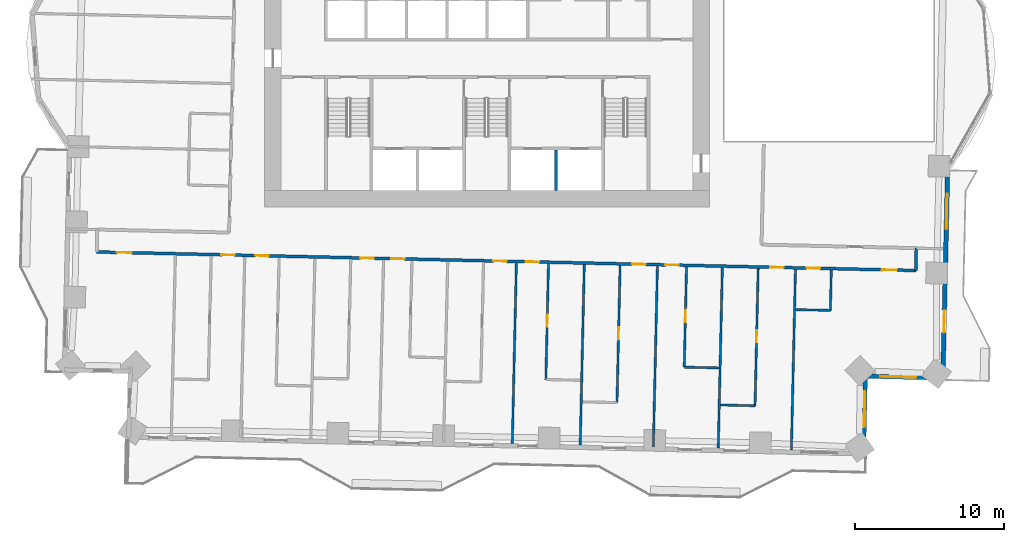
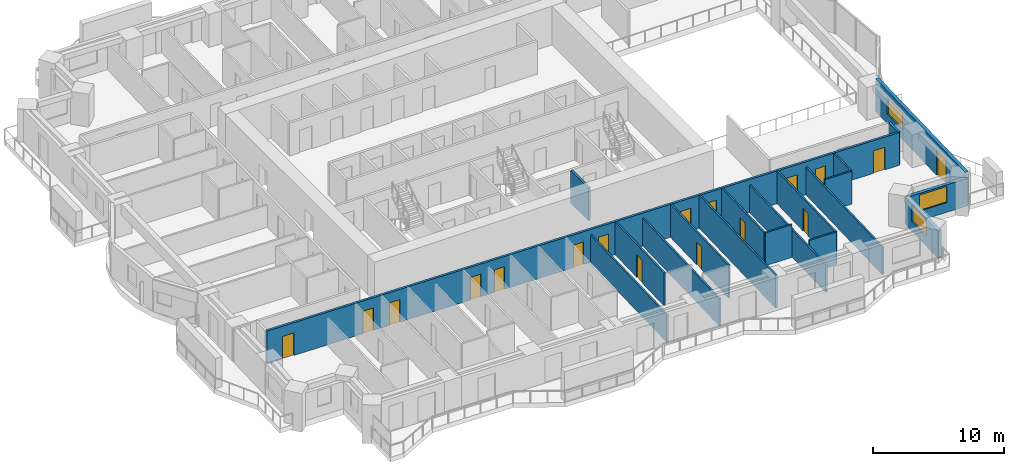
# One storey, part 9 of 18: 19 walls, 17 doors, 3 windows, 20 openings.
"""IFC4 building model written with IfcOpenShell, lengths in metres."""

from ifc_helpers import new_model, si_unit, direction, frame, frame_2d, origin, place, context, subcontext, project, spatial, rectangle, extrude, material, layer, layer_set, type_object, element, fill, save


model = new_model("IFC4")

# Units and contexts
model_context = context("Model", 3, precision=1e-05, world=origin(), true_north=direction((0.0, 1.0)))
body_context = subcontext(model_context, "Body", "Model", "MODEL_VIEW")
ifc_project = project(units=[si_unit("LENGTHUNIT", "METRE"), si_unit("AREAUNIT", "SQUARE_METRE"), si_unit("VOLUMEUNIT", "CUBIC_METRE"), si_unit("PLANEANGLEUNIT", "RADIAN"), si_unit("MASSUNIT", "GRAM", prefix="KILO")], contexts=[model_context])

# Site, building, storey
site_placement = place(None, origin())
site = spatial("IfcSite", under=ifc_project, at=site_placement, CompositionType="ELEMENT")
building_placement = place(site_placement, origin())
building = spatial("IfcBuilding", under=site, at=building_placement, Name="Mangrove Gate Tower", CompositionType="ELEMENT")
storey_placement = place(building_placement, frame((0.0, 0.0, 71.10009765625)))
storey = spatial("IfcBuildingStorey", under=building, at=storey_placement, Name="L17", CompositionType="ELEMENT", Elevation=71.10009765625)

# Wall
ifc_material_1 = material(Name="Concrete C70/85", Category="concrete")
ifc_layer_1 = layer(ifc_material_1, 0.199951171875)
ifc_layer_set_1 = layer_set([ifc_layer_1], Name="Core shaft wall 200 C70/85")
wall_type_1 = type_object("IfcWallType", Name="Core shaft wall 200 C70/85", PredefinedType="SHEAR", material=ifc_layer_set_1)
wall_1_placement = place(storey_placement, frame((4.625, -10.800048828125, 0.0), z_axis=(0.0, 0.0, 1.0), x_axis=(0.0, 1.0, 0.0)))
element("IfcWall", 1, at=wall_1_placement, inside=storey, type_object=wall_type_1, Name="WALL-L17-CORE-18", PredefinedType="SHEAR", context=body_context, shape_type="SweptSolid", body=[
    extrude(rectangle(XDim=2.699951171875, YDim=0.199951171875, at=frame_2d((1.35009765625, 0.0))), origin(), (0.0, 0.0, 1.0), 3.0498046875),
])

# Wall, openings, doors
ifc_material_2 = material(Name="Gypsum board on steel stud, EI 60", Category="steel")
ifc_layer_2 = layer(ifc_material_2, 0.199951171875)
ifc_layer_set_2 = layer_set([ifc_layer_2], Name="Corridor wall EI 60")
wall_type_2 = type_object("IfcWallType", Name="Corridor wall EI 60", PredefinedType="PARTITIONING", material=ifc_layer_set_2)
wall_2_placement = place(storey_placement, frame((-26.15087890625, -14.924072265625, 0.0), z_axis=(0.0, 0.0, 1.0), x_axis=(0.999742750999, -0.022681089575, 0.0)))
wall_2 = element("IfcWall", 2, at=wall_2_placement, inside=storey, type_object=wall_type_2, Name="WALL-L17-031", PredefinedType="PARTITIONING", context=body_context, shape_type="SweptSolid", body=[
    extrude(rectangle(XDim=54.885986328125, YDim=0.199951171875, at=frame_2d((27.44287109375, 0.0))), origin(), (0.0, 0.0, 1.0), 3.0498046875),
])
opening_1_placement = place(wall_2_placement, frame((1.344970703125, 0.0, 0.0)))
opening_1 = element("IfcOpeningElement", 3, at=opening_1_placement, cuts=wall_2, Name="Opening AD", PredefinedType="OPENING", context=body_context, shape_type="SweptSolid", body=[
    extrude(rectangle(XDim=1.0, YDim=2.10009765625, at=frame_2d((0.5, 1.050048828125))), frame((0.0, 0.10986328125, 0.0), z_axis=(0.0, -1.0, 0.0), x_axis=(1.0, 0.0, 0.0)), (0.0, 0.0, 1.0), 0.219970703125),
])
opening_2_placement = place(wall_2_placement, frame((8.35009765625, 0.0, 0.0)))
opening_2 = element("IfcOpeningElement", 4, at=opening_2_placement, cuts=wall_2, Name="Opening BD", PredefinedType="OPENING", context=body_context, shape_type="SweptSolid", body=[
    extrude(rectangle(XDim=0.89990234375, YDim=2.10009765625, at=frame_2d((0.449951171875, 1.050048828125))), frame((0.0, 0.10986328125, 0.0), z_axis=(0.0, -1.0, 0.0), x_axis=(1.0, 0.0, 0.0)), (0.0, 0.0, 1.0), 0.219970703125),
])
opening_3_placement = place(wall_2_placement, frame((10.625, 0.0, 0.0)))
opening_3 = element("IfcOpeningElement", 5, at=opening_3_placement, cuts=wall_2, Name="Opening BD", PredefinedType="OPENING", context=body_context, shape_type="SweptSolid", body=[
    extrude(rectangle(XDim=0.89990234375, YDim=2.10009765625, at=frame_2d((0.449951171875, 1.050048828125))), frame((0.0, 0.10986328125, 0.0), z_axis=(0.0, -1.0, 0.0), x_axis=(1.0, 0.0, 0.0)), (0.0, 0.0, 1.0), 0.219970703125),
])
opening_4_placement = place(wall_2_placement, frame((17.675048828125, 0.0, 0.0)))
opening_4 = element("IfcOpeningElement", 6, at=opening_4_placement, cuts=wall_2, Name="Opening BD", PredefinedType="OPENING", context=body_context, shape_type="SweptSolid", body=[
    extrude(rectangle(XDim=0.89990234375, YDim=2.10009765625, at=frame_2d((0.449951171875, 1.050048828125))), frame((0.0, 0.10986328125, 0.0), z_axis=(0.0, -1.0, 0.0), x_axis=(1.0, 0.0, 0.0)), (0.0, 0.0, 1.0), 0.219970703125),
])
opening_5_placement = place(wall_2_placement, frame((19.72509765625, 0.0, 0.0)))
opening_5 = element("IfcOpeningElement", 7, at=opening_5_placement, cuts=wall_2, Name="Opening BD", PredefinedType="OPENING", context=body_context, shape_type="SweptSolid", body=[
    extrude(rectangle(XDim=0.89990234375, YDim=2.10009765625, at=frame_2d((0.449951171875, 1.050048828125))), frame((0.0, 0.10986328125, 0.0), z_axis=(0.0, -1.0, 0.0), x_axis=(1.0, 0.0, 0.0)), (0.0, 0.0, 1.0), 0.219970703125),
])
opening_6_placement = place(wall_2_placement, frame((26.574951171875, 0.0, 0.0)))
opening_6 = element("IfcOpeningElement", 8, at=opening_6_placement, cuts=wall_2, Name="Opening BD", PredefinedType="OPENING", context=body_context, shape_type="SweptSolid", body=[
    extrude(rectangle(XDim=0.89990234375, YDim=2.10009765625, at=frame_2d((0.449951171875, 1.050048828125))), frame((0.0, 0.10986328125, 0.0), z_axis=(0.0, -1.0, 0.0), x_axis=(1.0, 0.0, 0.0)), (0.0, 0.0, 1.0), 0.219970703125),
])
opening_7_placement = place(wall_2_placement, frame((28.75, 0.0, 0.0)))
opening_7 = element("IfcOpeningElement", 9, at=opening_7_placement, cuts=wall_2, Name="Opening BD", PredefinedType="OPENING", context=body_context, shape_type="SweptSolid", body=[
    extrude(rectangle(XDim=0.89990234375, YDim=2.10009765625, at=frame_2d((0.449951171875, 1.050048828125))), frame((0.0, 0.10986328125, 0.0), z_axis=(0.0, -1.0, 0.0), x_axis=(1.0, 0.0, 0.0)), (0.0, 0.0, 1.0), 0.219970703125),
])
opening_8_placement = place(wall_2_placement, frame((35.875, 0.0, 0.0)))
opening_8 = element("IfcOpeningElement", 10, at=opening_8_placement, cuts=wall_2, Name="Opening BD", PredefinedType="OPENING", context=body_context, shape_type="SweptSolid", body=[
    extrude(rectangle(XDim=0.89990234375, YDim=2.10009765625, at=frame_2d((0.449951171875, 1.050048828125))), frame((0.0, 0.10986328125, 0.0), z_axis=(0.0, -1.0, 0.0), x_axis=(1.0, 0.0, 0.0)), (0.0, 0.0, 1.0), 0.219970703125),
])
opening_9_placement = place(wall_2_placement, frame((38.10009765625, 0.0, 0.0)))
opening_9 = element("IfcOpeningElement", 11, at=opening_9_placement, cuts=wall_2, Name="Opening BD", PredefinedType="OPENING", context=body_context, shape_type="SweptSolid", body=[
    extrude(rectangle(XDim=0.89990234375, YDim=2.10009765625, at=frame_2d((0.449951171875, 1.050048828125))), frame((0.0, 0.10986328125, 0.0), z_axis=(0.0, -1.0, 0.0), x_axis=(1.0, 0.0, 0.0)), (0.0, 0.0, 1.0), 0.219970703125),
])
opening_10_placement = place(wall_2_placement, frame((45.125, 0.0, 0.0)))
opening_10 = element("IfcOpeningElement", 12, at=opening_10_placement, cuts=wall_2, Name="Opening BD", PredefinedType="OPENING", context=body_context, shape_type="SweptSolid", body=[
    extrude(rectangle(XDim=0.89990234375, YDim=2.10009765625, at=frame_2d((0.449951171875, 1.050048828125))), frame((0.0, 0.10986328125, 0.0), z_axis=(0.0, -1.0, 0.0), x_axis=(1.0, 0.0, 0.0)), (0.0, 0.0, 1.0), 0.219970703125),
])
opening_11_placement = place(wall_2_placement, frame((52.617919921875, 0.0, 0.0)))
opening_11 = element("IfcOpeningElement", 13, at=opening_11_placement, cuts=wall_2, Name="Opening AD", PredefinedType="OPENING", context=body_context, shape_type="SweptSolid", body=[
    extrude(rectangle(XDim=1.0, YDim=2.10009765625, at=frame_2d((0.5, 1.050048828125))), frame((0.0, 0.10986328125, 0.0), z_axis=(0.0, -1.0, 0.0), x_axis=(1.0, 0.0, 0.0)), (0.0, 0.0, 1.0), 0.219970703125),
])
opening_12_placement = place(wall_2_placement, frame((47.574951171875, 0.0, 0.0)))
opening_12 = element("IfcOpeningElement", 14, at=opening_12_placement, cuts=wall_2, Name="Opening SD", PredefinedType="OPENING", context=body_context, shape_type="SweptSolid", body=[
    extrude(rectangle(XDim=0.89990234375, YDim=2.10009765625, at=frame_2d((0.449951171875, 1.050048828125))), frame((0.0, 0.10986328125, 0.0), z_axis=(0.0, -1.0, 0.0), x_axis=(1.0, 0.0, 0.0)), (0.0, 0.0, 1.0), 0.219970703125),
])
ifc_material_3 = material(Name="Timber door leaf", Category="wood")
door_type_1 = type_object("IfcDoorType", Name="Amenity door 1000", OperationType="SINGLE_SWING_LEFT", PredefinedType="DOOR", material=ifc_material_3)
door_1_placement = place(opening_1_placement, origin())
door_1 = element("IfcDoor", 15, at=door_1_placement, inside=storey, type_object=door_type_1, Name="DOOR-L17-STU-c1a", OperationType="SINGLE_SWING_LEFT", OverallHeight=2.10009765625, OverallWidth=1.0, PredefinedType="DOOR", context=body_context, shape_type="SweptSolid", body=[
    extrude(rectangle(XDim=1.0, YDim=2.10009765625, at=frame_2d((0.5, 1.050048828125))), frame((0.0, 0.02490234375, 0.0), z_axis=(0.0, -1.0, 0.0), x_axis=(1.0, 0.0, 0.0)), (0.0, 0.0, 1.0), 0.050048828125),
])
fill(opening_1, door_1)
door_2_placement = place(opening_11_placement, origin())
door_2 = element("IfcDoor", 16, at=door_2_placement, inside=storey, type_object=door_type_1, Name="DOOR-L17-GAM-c3a", OperationType="SINGLE_SWING_RIGHT", OverallHeight=2.10009765625, OverallWidth=1.0, PredefinedType="DOOR", context=body_context, shape_type="SweptSolid", body=[
    extrude(rectangle(XDim=1.0, YDim=2.10009765625, at=frame_2d((0.5, 1.050048828125))), frame((0.0, 0.02490234375, 0.0), z_axis=(0.0, -1.0, 0.0), x_axis=(1.0, 0.0, 0.0)), (0.0, 0.0, 1.0), 0.050048828125),
])
fill(opening_11, door_2)
ifc_material_4 = material(Name="Timber door leaf", Category="wood")
door_type_2 = type_object("IfcDoorType", Name="Bedroom door 900", OperationType="SINGLE_SWING_LEFT", PredefinedType="DOOR", material=ifc_material_4)
door_3_placement = place(opening_2_placement, origin())
door_3 = element("IfcDoor", 17, at=door_3_placement, inside=storey, type_object=door_type_2, Name="DOOR-L17-BED-c101", OperationType="SINGLE_SWING_LEFT", OverallHeight=2.10009765625, OverallWidth=0.89990234375, PredefinedType="DOOR", context=body_context, shape_type="SweptSolid", body=[
    extrude(rectangle(XDim=0.89990234375, YDim=2.10009765625, at=frame_2d((0.449951171875, 1.050048828125))), frame((0.0, 0.02490234375, 0.0), z_axis=(0.0, -1.0, 0.0), x_axis=(1.0, 0.0, 0.0)), (0.0, 0.0, 1.0), 0.050048828125),
])
fill(opening_2, door_3)
door_4_placement = place(opening_3_placement, origin())
door_4 = element("IfcDoor", 18, at=door_4_placement, inside=storey, type_object=door_type_2, Name="DOOR-L17-BED-c102", OperationType="SINGLE_SWING_RIGHT", OverallHeight=2.10009765625, OverallWidth=0.89990234375, PredefinedType="DOOR", context=body_context, shape_type="SweptSolid", body=[
    extrude(rectangle(XDim=0.89990234375, YDim=2.10009765625, at=frame_2d((0.449951171875, 1.050048828125))), frame((0.0, 0.02490234375, 0.0), z_axis=(0.0, -1.0, 0.0), x_axis=(1.0, 0.0, 0.0)), (0.0, 0.0, 1.0), 0.050048828125),
])
fill(opening_3, door_4)
door_5_placement = place(opening_4_placement, origin())
door_5 = element("IfcDoor", 19, at=door_5_placement, inside=storey, type_object=door_type_2, Name="DOOR-L17-BED-c103", OperationType="SINGLE_SWING_LEFT", OverallHeight=2.10009765625, OverallWidth=0.89990234375, PredefinedType="DOOR", context=body_context, shape_type="SweptSolid", body=[
    extrude(rectangle(XDim=0.89990234375, YDim=2.10009765625, at=frame_2d((0.449951171875, 1.050048828125))), frame((0.0, 0.02490234375, 0.0), z_axis=(0.0, -1.0, 0.0), x_axis=(1.0, 0.0, 0.0)), (0.0, 0.0, 1.0), 0.050048828125),
])
fill(opening_4, door_5)
door_6_placement = place(opening_5_placement, origin())
door_6 = element("IfcDoor", 20, at=door_6_placement, inside=storey, type_object=door_type_2, Name="DOOR-L17-BED-c104", OperationType="SINGLE_SWING_RIGHT", OverallHeight=2.10009765625, OverallWidth=0.89990234375, PredefinedType="DOOR", context=body_context, shape_type="SweptSolid", body=[
    extrude(rectangle(XDim=0.89990234375, YDim=2.10009765625, at=frame_2d((0.449951171875, 1.050048828125))), frame((0.0, 0.02490234375, 0.0), z_axis=(0.0, -1.0, 0.0), x_axis=(1.0, 0.0, 0.0)), (0.0, 0.0, 1.0), 0.050048828125),
])
fill(opening_5, door_6)
door_7_placement = place(opening_6_placement, origin())
door_7 = element("IfcDoor", 21, at=door_7_placement, inside=storey, type_object=door_type_2, Name="DOOR-L17-BED-c205", OperationType="SINGLE_SWING_LEFT", OverallHeight=2.10009765625, OverallWidth=0.89990234375, PredefinedType="DOOR", context=body_context, shape_type="SweptSolid", body=[
    extrude(rectangle(XDim=0.89990234375, YDim=2.10009765625, at=frame_2d((0.449951171875, 1.050048828125))), frame((0.0, 0.02490234375, 0.0), z_axis=(0.0, -1.0, 0.0), x_axis=(1.0, 0.0, 0.0)), (0.0, 0.0, 1.0), 0.050048828125),
])
fill(opening_6, door_7)
door_8_placement = place(opening_7_placement, origin())
door_8 = element("IfcDoor", 22, at=door_8_placement, inside=storey, type_object=door_type_2, Name="DOOR-L17-BED-c206", OperationType="SINGLE_SWING_RIGHT", OverallHeight=2.10009765625, OverallWidth=0.89990234375, PredefinedType="DOOR", context=body_context, shape_type="SweptSolid", body=[
    extrude(rectangle(XDim=0.89990234375, YDim=2.10009765625, at=frame_2d((0.449951171875, 1.050048828125))), frame((0.0, 0.02490234375, 0.0), z_axis=(0.0, -1.0, 0.0), x_axis=(1.0, 0.0, 0.0)), (0.0, 0.0, 1.0), 0.050048828125),
])
fill(opening_7, door_8)
door_9_placement = place(opening_8_placement, origin())
door_9 = element("IfcDoor", 23, at=door_9_placement, inside=storey, type_object=door_type_2, Name="DOOR-L17-BED-c207", OperationType="SINGLE_SWING_LEFT", OverallHeight=2.10009765625, OverallWidth=0.89990234375, PredefinedType="DOOR", context=body_context, shape_type="SweptSolid", body=[
    extrude(rectangle(XDim=0.89990234375, YDim=2.10009765625, at=frame_2d((0.449951171875, 1.050048828125))), frame((0.0, 0.02490234375, 0.0), z_axis=(0.0, -1.0, 0.0), x_axis=(1.0, 0.0, 0.0)), (0.0, 0.0, 1.0), 0.050048828125),
])
fill(opening_8, door_9)
door_10_placement = place(opening_9_placement, origin())
door_10 = element("IfcDoor", 24, at=door_10_placement, inside=storey, type_object=door_type_2, Name="DOOR-L17-BED-c308", OperationType="SINGLE_SWING_RIGHT", OverallHeight=2.10009765625, OverallWidth=0.89990234375, PredefinedType="DOOR", context=body_context, shape_type="SweptSolid", body=[
    extrude(rectangle(XDim=0.89990234375, YDim=2.10009765625, at=frame_2d((0.449951171875, 1.050048828125))), frame((0.0, 0.02490234375, 0.0), z_axis=(0.0, -1.0, 0.0), x_axis=(1.0, 0.0, 0.0)), (0.0, 0.0, 1.0), 0.050048828125),
])
fill(opening_9, door_10)
door_11_placement = place(opening_10_placement, origin())
door_11 = element("IfcDoor", 25, at=door_11_placement, inside=storey, type_object=door_type_2, Name="DOOR-L17-BED-c309", OperationType="SINGLE_SWING_LEFT", OverallHeight=2.10009765625, OverallWidth=0.89990234375, PredefinedType="DOOR", context=body_context, shape_type="SweptSolid", body=[
    extrude(rectangle(XDim=0.89990234375, YDim=2.10009765625, at=frame_2d((0.449951171875, 1.050048828125))), frame((0.0, 0.02490234375, 0.0), z_axis=(0.0, -1.0, 0.0), x_axis=(1.0, 0.0, 0.0)), (0.0, 0.0, 1.0), 0.050048828125),
])
fill(opening_10, door_11)
ifc_material_5 = material(Name="Timber door leaf", Category="wood")
door_type_3 = type_object("IfcDoorType", Name="Service room door 900", OperationType="SINGLE_SWING_LEFT", PredefinedType="DOOR", material=ifc_material_5)
door_12_placement = place(opening_12_placement, origin())
door_12 = element("IfcDoor", 26, at=door_12_placement, inside=storey, type_object=door_type_3, Name="DOOR-L17-WC-c3a", OperationType="SINGLE_SWING_LEFT", OverallHeight=2.10009765625, OverallWidth=0.89990234375, PredefinedType="DOOR", context=body_context, shape_type="SweptSolid", body=[
    extrude(rectangle(XDim=0.89990234375, YDim=2.10009765625, at=frame_2d((0.449951171875, 1.050048828125))), frame((0.0, 0.02490234375, 0.0), z_axis=(0.0, -1.0, 0.0), x_axis=(1.0, 0.0, 0.0)), (0.0, 0.0, 1.0), 0.050048828125),
])
fill(opening_12, door_12)

# Wall
wall_3_placement = place(storey_placement, frame((28.718017578125, -16.1689453125, 0.0), z_axis=(0.0, 0.0, 1.0), x_axis=(0.022617910375, 0.999744182344, 0.0)))
element("IfcWall", 27, at=wall_3_placement, inside=storey, type_object=wall_type_2, Name="WALL-L17-033", PredefinedType="PARTITIONING", context=body_context, shape_type="SweptSolid", body=[
    extrude(rectangle(XDim=1.50048828125, YDim=0.199951171875, at=frame_2d((0.750244140625, 0.0))), origin(), (0.0, 0.0, 1.0), 3.0498046875),
])

# Wall, openings, door, window
ifc_material_6 = material(Name="Limestone", Category="masonry")
ifc_layer_3 = layer(ifc_material_6, 0.0400390625, Name="Limestone cladding")
ifc_material_7 = material(Name="Ventilated air gap")
ifc_layer_4 = layer(ifc_material_7, 0.0400390625, Name="Ventilated cavity")
ifc_material_8 = material(Name="Mineral wool insulation")
ifc_layer_5 = layer(ifc_material_8, 0.06005859375, Name="Insulation")
ifc_material_9 = material(Name="Breather membrane")
ifc_layer_6 = layer(ifc_material_9, 0.001953125, Name="Breather membrane")
ifc_material_10 = material(Name="Concrete C20/25 blockwork", Category="masonry")
ifc_layer_7 = layer(ifc_material_10, 0.14990234375, Name="Blockwork backing wall")
ifc_material_11 = material(Name="Gypsum plaster")
ifc_layer_8 = layer(ifc_material_11, 0.008056640625, Name="Internal plaster")
ifc_layer_set_3 = layer_set([ifc_layer_3, ifc_layer_4, ifc_layer_5, ifc_layer_6, ifc_layer_7, ifc_layer_8], Name="External wall 300 limestone cladding")
wall_type_3 = type_object("IfcWallType", Name="External wall 300 limestone cladding", PredefinedType="SOLIDWALL", material=ifc_layer_set_3)
wall_4_placement = place(storey_placement, frame((30.532958984375, -23.362060546875, 0.0), z_axis=(0.0, 0.0, 1.0), x_axis=(0.022698800888, 0.999742349027, 0.0)))
wall_4 = element("IfcWall", 28, at=wall_4_placement, inside=storey, type_object=wall_type_3, Name="WALL-L17-E0", PredefinedType="SOLIDWALL", context=body_context, shape_type="SweptSolid", body=[
    extrude(rectangle(XDim=14.229736328125, YDim=0.300048828125, at=frame_2d((7.11474609375, 0.0))), origin(), (0.0, 0.0, 1.0), 3.0498046875),
])
opening_13_placement = place(wall_4_placement, frame((3.0380859375, 0.0, 0.0)))
opening_13 = element("IfcOpeningElement", 29, at=opening_13_placement, cuts=wall_4, Name="Opening BD1", PredefinedType="OPENING", context=body_context, shape_type="SweptSolid", body=[
    extrude(rectangle(XDim=1.5, YDim=2.39990234375, at=frame_2d((0.75, 1.199951171875))), frame((0.0, 0.159912109375, 0.0), z_axis=(0.0, -1.0, 0.0), x_axis=(1.0, 0.0, 0.0)), (0.0, 0.0, 1.0), 0.320068359375),
])
opening_14_placement = place(wall_4_placement, frame((9.949951171875, 0.0, 0.89990234375)))
opening_14 = element("IfcOpeningElement", 30, at=opening_14_placement, cuts=wall_4, Name="Opening W2", PredefinedType="OPENING", context=body_context, shape_type="SweptSolid", body=[
    extrude(rectangle(XDim=2.39990234375, YDim=1.5, at=frame_2d((1.199951171875, 0.75))), frame((0.0, 0.159912109375, 0.0), z_axis=(0.0, -1.0, 0.0), x_axis=(1.0, 0.0, 0.0)), (0.0, 0.0, 1.0), 0.320068359375),
])
ifc_material_12 = material(Name="Aluminium frame with laminated clear glass", Category="aluminium")
door_type_4 = type_object("IfcDoorType", Name="Balcony sliding door 1500x2400", OperationType="SLIDING_TO_LEFT", PredefinedType="DOOR", material=ifc_material_12)
door_13_placement = place(opening_13_placement, origin())
door_13 = element("IfcDoor", 31, at=door_13_placement, inside=storey, type_object=door_type_4, Name="DOOR-L17-E0-1", OperationType="SLIDING_TO_LEFT", OverallHeight=2.39990234375, OverallWidth=1.5, PredefinedType="DOOR", context=body_context, shape_type="SweptSolid", body=[
    extrude(rectangle(XDim=1.5, YDim=2.39990234375, at=frame_2d((0.75, 1.199951171875))), frame((0.0, 0.02490234375, 0.0), z_axis=(0.0, -1.0, 0.0), x_axis=(1.0, 0.0, 0.0)), (0.0, 0.0, 1.0), 0.050048828125),
])
fill(opening_13, door_13)
ifc_material_13 = material(Name="Aluminium frame with double-glazed low-e glass", Category="aluminium")
window_type = type_object("IfcWindowType", Name="Corner room window 2400x1500", PartitioningType="DOUBLE_PANEL_VERTICAL", PredefinedType="WINDOW", material=ifc_material_13)
window_1_placement = place(opening_14_placement, origin())
window_1 = element("IfcWindow", 32, at=window_1_placement, inside=storey, type_object=window_type, Name="WIN-L17-E0-2", OverallHeight=1.5, OverallWidth=2.39990234375, PartitioningType="DOUBLE_PANEL_VERTICAL", PredefinedType="WINDOW", context=body_context, shape_type="SweptSolid", body=[
    extrude(rectangle(XDim=2.39990234375, YDim=1.5, at=frame_2d((1.199951171875, 0.75))), frame((0.0, 0.030029296875, 0.0), z_axis=(0.0, -1.0, 0.0), x_axis=(1.0, 0.0, 0.0)), (0.0, 0.0, 1.0), 0.06005859375),
])
fill(opening_14, window_1)

# Wall, opening, window
wall_5_placement = place(storey_placement, frame((25.216064453125, -28.443115234375, 0.0), z_axis=(0.0, 0.0, 1.0), x_axis=(0.022674484462, 0.999742900827, 0.0)))
wall_5 = element("IfcWall", 33, at=wall_5_placement, inside=storey, type_object=wall_type_3, Name="WALL-L17-E14", PredefinedType="SOLIDWALL", context=body_context, shape_type="SweptSolid", body=[
    extrude(rectangle(XDim=5.200439453125, YDim=0.300048828125, at=frame_2d((2.60009765625, 0.0))), origin(), (0.0, 0.0, 1.0), 2.5498046875),
])
opening_15_placement = place(wall_5_placement, frame((1.79296875, 0.0, 0.89990234375)))
opening_15 = element("IfcOpeningElement", 34, at=opening_15_placement, cuts=wall_5, Name="Opening W2", PredefinedType="OPENING", context=body_context, shape_type="SweptSolid", body=[
    extrude(rectangle(XDim=2.39990234375, YDim=1.5, at=frame_2d((1.199951171875, 0.75))), frame((0.0, 0.159912109375, 0.0), z_axis=(0.0, -1.0, 0.0), x_axis=(1.0, 0.0, 0.0)), (0.0, 0.0, 1.0), 0.320068359375),
])
window_2_placement = place(opening_15_placement, origin())
window_2 = element("IfcWindow", 35, at=window_2_placement, inside=storey, type_object=window_type, Name="WIN-L17-E14-1", OverallHeight=1.5, OverallWidth=2.39990234375, PartitioningType="DOUBLE_PANEL_VERTICAL", PredefinedType="WINDOW", context=body_context, shape_type="SweptSolid", body=[
    extrude(rectangle(XDim=2.39990234375, YDim=1.5, at=frame_2d((1.199951171875, 0.75))), frame((0.0, 0.030029296875, 0.0), z_axis=(0.0, -1.0, 0.0), x_axis=(1.0, 0.0, 0.0)), (0.0, 0.0, 1.0), 0.06005859375),
])
fill(opening_15, window_2)

wall_6_placement = place(storey_placement, frame((25.333984375, -23.243896484375, 0.0), z_axis=(0.0, 0.0, 1.0), x_axis=(0.999741811307, -0.022722471786, 0.0)))
wall_6 = element("IfcWall", 36, at=wall_6_placement, inside=storey, type_object=wall_type_3, Name="WALL-L17-S15", PredefinedType="SOLIDWALL", context=body_context, shape_type="SweptSolid", body=[
    extrude(rectangle(XDim=5.2001953125, YDim=0.300048828125, at=frame_2d((2.60009765625, 0.0))), origin(), (0.0, 0.0, 1.0), 2.5498046875),
])
opening_16_placement = place(wall_6_placement, frame((1.007080078125, 0.0, 0.89990234375)))
opening_16 = element("IfcOpeningElement", 37, at=opening_16_placement, cuts=wall_6, Name="Opening W2", PredefinedType="OPENING", context=body_context, shape_type="SweptSolid", body=[
    extrude(rectangle(XDim=2.39990234375, YDim=1.5, at=frame_2d((1.199951171875, 0.75))), frame((0.0, 0.159912109375, 0.0), z_axis=(0.0, -1.0, 0.0), x_axis=(1.0, 0.0, 0.0)), (0.0, 0.0, 1.0), 0.320068359375),
])
window_3_placement = place(opening_16_placement, origin())
window_3 = element("IfcWindow", 38, at=window_3_placement, inside=storey, type_object=window_type, Name="WIN-L17-S15-1", OverallHeight=1.5, OverallWidth=2.39990234375, PartitioningType="DOUBLE_PANEL_VERTICAL", PredefinedType="WINDOW", context=body_context, shape_type="SweptSolid", body=[
    extrude(rectangle(XDim=2.39990234375, YDim=1.5, at=frame_2d((1.199951171875, 0.75))), frame((0.0, 0.030029296875, 0.0), z_axis=(0.0, -1.0, 0.0), x_axis=(1.0, 0.0, 0.0)), (0.0, 0.0, 1.0), 0.06005859375),
])
fill(opening_16, window_3)

# Walls
ifc_material_14 = material(Name="Gypsum board on steel stud, EI 60", Category="steel")
ifc_layer_9 = layer(ifc_material_14, 0.14990234375)
ifc_layer_set_4 = layer_set([ifc_layer_9], Name="Party wall 150 EI 60")
wall_type_4 = type_object("IfcWallType", Name="Party wall 150 EI 60", PredefinedType="PARTITIONING", material=ifc_layer_set_4)
wall_7_placement = place(storey_placement, frame((1.68798828125, -27.759033203125, 0.0), z_axis=(0.0, 0.0, 1.0), x_axis=(0.02263844782, 0.9997437175, 0.0)))
element("IfcWall", 39, at=wall_7_placement, inside=storey, type_object=wall_type_4, Name="WALL-L17-006", PredefinedType="PARTITIONING", context=body_context, shape_type="SweptSolid", body=[
    extrude(rectangle(XDim=12.10009765625, YDim=0.14990234375, at=frame_2d((6.050048828125, 0.0))), origin(), (0.0, 0.0, 1.0), 2.5498046875),
])
wall_8_placement = place(storey_placement, frame((6.237060546875, -27.862060546875, 0.0), z_axis=(0.0, 0.0, 1.0), x_axis=(0.022637991173, 0.99974372784, 0.0)))
element("IfcWall", 40, at=wall_8_placement, inside=storey, type_object=wall_type_4, Name="WALL-L17-007", PredefinedType="PARTITIONING", context=body_context, shape_type="SweptSolid", body=[
    extrude(rectangle(XDim=12.100341796875, YDim=0.14990234375, at=frame_2d((6.05029296875, 0.0))), origin(), (0.0, 0.0, 1.0), 2.5498046875),
])
wall_9_placement = place(storey_placement, frame((11.135009765625, -27.972900390625, 0.0), z_axis=(0.0, 0.0, 1.0), x_axis=(0.022719113715, 0.999741887625, 0.0)))
element("IfcWall", 41, at=wall_9_placement, inside=storey, type_object=wall_type_4, Name="WALL-L17-008", PredefinedType="PARTITIONING", context=body_context, shape_type="SweptSolid", body=[
    extrude(rectangle(XDim=12.10009765625, YDim=0.14990234375, at=frame_2d((6.050048828125, 0.0))), origin(), (0.0, 0.0, 1.0), 3.0498046875),
])
wall_10_placement = place(storey_placement, frame((15.48388671875, -28.072021484375, 0.0), z_axis=(0.0, 0.0, 1.0), x_axis=(0.02273928012, 0.99974142914, 0.0)))
element("IfcWall", 42, at=wall_10_placement, inside=storey, type_object=wall_type_4, Name="WALL-L17-009", PredefinedType="PARTITIONING", context=body_context, shape_type="SweptSolid", body=[
    extrude(rectangle(XDim=12.10009765625, YDim=0.14990234375, at=frame_2d((6.050048828125, 0.0))), origin(), (0.0, 0.0, 1.0), 2.5498046875),
])
wall_11_placement = place(storey_placement, frame((20.383056640625, -28.18310546875, 0.0), z_axis=(0.0, 0.0, 1.0), x_axis=(0.022637991173, 0.99974372784, 0.0)))
element("IfcWall", 43, at=wall_11_placement, inside=storey, type_object=wall_type_4, Name="WALL-L17-010", PredefinedType="PARTITIONING", context=body_context, shape_type="SweptSolid", body=[
    extrude(rectangle(XDim=12.100341796875, YDim=0.14990234375, at=frame_2d((6.05029296875, 0.0))), origin(), (0.0, 0.0, 1.0), 2.5498046875),
])

# Wall, opening, door
wall_12_placement = place(storey_placement, frame((8.701904296875, -25.01708984375, 0.0), z_axis=(0.0, 0.0, 1.0), x_axis=(0.022611084784, 0.999744336741, 0.0)))
wall_12 = element("IfcWall", 44, at=wall_12_placement, inside=storey, type_object=wall_type_4, Name="WALL-L17-012", PredefinedType="PARTITIONING", context=body_context, shape_type="SweptSolid", body=[
    extrude(rectangle(XDim=9.199462890625, YDim=0.14990234375, at=frame_2d((4.599609375, 0.0))), origin(), (0.0, 0.0, 1.0), 3.0498046875),
])
opening_17_placement = place(wall_12_placement, frame((4.25, 0.0, 0.0)))
opening_17 = element("IfcOpeningElement", 45, at=opening_17_placement, cuts=wall_12, Name="Opening ED", PredefinedType="OPENING", context=body_context, shape_type="SweptSolid", body=[
    extrude(rectangle(XDim=0.800048828125, YDim=2.10009765625, at=frame_2d((0.39990234375, 1.050048828125))), frame((0.0, 0.0849609375, 0.0), z_axis=(0.0, -1.0, 0.0), x_axis=(1.0, 0.0, 0.0)), (0.0, 0.0, 1.0), 0.169921875),
])
ifc_material_15 = material(Name="Timber door leaf", Category="wood")
door_type_5 = type_object("IfcDoorType", Name="En-suite door 800", OperationType="SINGLE_SWING_LEFT", PredefinedType="DOOR", material=ifc_material_15)
door_14_placement = place(opening_17_placement, origin())
door_14 = element("IfcDoor", 46, at=door_14_placement, inside=storey, type_object=door_type_5, Name="DOOR-L17-ENS-c207", OperationType="SINGLE_SWING_LEFT", OverallHeight=2.10009765625, OverallWidth=0.800048828125, PredefinedType="DOOR", context=body_context, shape_type="SweptSolid", body=[
    extrude(rectangle(XDim=0.800048828125, YDim=2.10009765625, at=frame_2d((0.39990234375, 1.050048828125))), frame((0.0, 0.02490234375, 0.0), z_axis=(0.0, -1.0, 0.0), x_axis=(1.0, 0.0, 0.0)), (0.0, 0.0, 1.0), 0.050048828125),
])
fill(opening_17, door_14)

# Wall
wall_13_placement = place(storey_placement, frame((15.626953125, -25.174072265625, 0.0), z_axis=(0.0, 0.0, 1.0), x_axis=(0.999740260747, -0.02279059109, 0.0)))
element("IfcWall", 47, at=wall_13_placement, inside=storey, type_object=wall_type_4, Name="WALL-L17-013", PredefinedType="PARTITIONING", context=body_context, shape_type="SweptSolid", body=[
    extrude(rectangle(XDim=2.324462890625, YDim=0.14990234375, at=frame_2d((1.162109375, 0.0))), origin(), (0.0, 0.0, 1.0), 3.0498046875),
])

# Wall, opening, door
wall_14_placement = place(storey_placement, frame((17.948974609375, -25.22705078125, 0.0), z_axis=(0.0, 0.0, 1.0), x_axis=(0.02271477479, 0.999741986218, 0.0)))
wall_14 = element("IfcWall", 48, at=wall_14_placement, inside=storey, type_object=wall_type_4, Name="WALL-L17-014", PredefinedType="PARTITIONING", context=body_context, shape_type="SweptSolid", body=[
    extrude(rectangle(XDim=9.200439453125, YDim=0.14990234375, at=frame_2d((4.60009765625, 0.0))), origin(), (0.0, 0.0, 1.0), 3.0498046875),
])
opening_18_placement = place(wall_14_placement, frame((4.25, 0.0, 0.0)))
opening_18 = element("IfcOpeningElement", 49, at=opening_18_placement, cuts=wall_14, Name="Opening ED", PredefinedType="OPENING", context=body_context, shape_type="SweptSolid", body=[
    extrude(rectangle(XDim=0.800048828125, YDim=2.10009765625, at=frame_2d((0.39990234375, 1.050048828125))), frame((0.0, 0.0849609375, 0.0), z_axis=(0.0, -1.0, 0.0), x_axis=(1.0, 0.0, 0.0)), (0.0, 0.0, 1.0), 0.169921875),
])
door_15_placement = place(opening_18_placement, origin())
door_15 = element("IfcDoor", 50, at=door_15_placement, inside=storey, type_object=door_type_5, Name="DOOR-L17-ENS-c309", OperationType="SINGLE_SWING_LEFT", OverallHeight=2.10009765625, OverallWidth=0.800048828125, PredefinedType="DOOR", context=body_context, shape_type="SweptSolid", body=[
    extrude(rectangle(XDim=0.800048828125, YDim=2.10009765625, at=frame_2d((0.39990234375, 1.050048828125))), frame((0.0, 0.02490234375, 0.0), z_axis=(0.0, -1.0, 0.0), x_axis=(1.0, 0.0, 0.0)), (0.0, 0.0, 1.0), 0.050048828125),
])
fill(opening_18, door_15)

wall_15_placement = place(storey_placement, frame((3.93603515625, -23.468994140625, 0.0), z_axis=(0.0, 0.0, 1.0), x_axis=(0.022683528451, 0.999742695666, 0.0)))
wall_15 = element("IfcWall", 51, at=wall_15_placement, inside=storey, type_object=wall_type_4, Name="WALL-L17-023", PredefinedType="PARTITIONING", context=body_context, shape_type="SweptSolid", body=[
    extrude(rectangle(XDim=7.760009765625, YDim=0.14990234375, at=frame_2d((3.8798828125, 0.0))), origin(), (0.0, 0.0, 1.0), 3.0498046875),
])
opening_19_placement = place(wall_15_placement, frame((3.530029296875, 0.0, 0.0)))
opening_19 = element("IfcOpeningElement", 52, at=opening_19_placement, cuts=wall_15, Name="Opening ED", PredefinedType="OPENING", context=body_context, shape_type="SweptSolid", body=[
    extrude(rectangle(XDim=0.800048828125, YDim=2.10009765625, at=frame_2d((0.39990234375, 1.050048828125))), frame((0.0, 0.0849609375, 0.0), z_axis=(0.0, -1.0, 0.0), x_axis=(1.0, 0.0, 0.0)), (0.0, 0.0, 1.0), 0.169921875),
])
door_16_placement = place(opening_19_placement, origin())
door_16 = element("IfcDoor", 53, at=door_16_placement, inside=storey, type_object=door_type_5, Name="DOOR-L17-ENS-c206", OperationType="SINGLE_SWING_RIGHT", OverallHeight=2.10009765625, OverallWidth=0.800048828125, PredefinedType="DOOR", context=body_context, shape_type="SweptSolid", body=[
    extrude(rectangle(XDim=0.800048828125, YDim=2.10009765625, at=frame_2d((0.39990234375, 1.050048828125))), frame((0.0, 0.02490234375, 0.0), z_axis=(0.0, -1.0, 0.0), x_axis=(1.0, 0.0, 0.0)), (0.0, 0.0, 1.0), 0.050048828125),
])
fill(opening_19, door_16)

wall_16_placement = place(storey_placement, frame((13.20703125, -22.638916015625, 0.0), z_axis=(0.0, 0.0, 1.0), x_axis=(0.022595152847, 0.999744696944, 0.0)))
wall_16 = element("IfcWall", 54, at=wall_16_placement, inside=storey, type_object=wall_type_4, Name="WALL-L17-025", PredefinedType="PARTITIONING", context=body_context, shape_type="SweptSolid", body=[
    extrude(rectangle(XDim=6.720703125, YDim=0.14990234375, at=frame_2d((3.3603515625, 0.0))), origin(), (0.0, 0.0, 1.0), 3.0498046875),
])
opening_20_placement = place(wall_16_placement, frame((3.010009765625, 0.0, 0.0)))
opening_20 = element("IfcOpeningElement", 55, at=opening_20_placement, cuts=wall_16, Name="Opening ED", PredefinedType="OPENING", context=body_context, shape_type="SweptSolid", body=[
    extrude(rectangle(XDim=0.800048828125, YDim=2.10009765625, at=frame_2d((0.39990234375, 1.050048828125))), frame((0.0, 0.0849609375, 0.0), z_axis=(0.0, -1.0, 0.0), x_axis=(1.0, 0.0, 0.0)), (0.0, 0.0, 1.0), 0.169921875),
])
door_17_placement = place(opening_20_placement, origin())
door_17 = element("IfcDoor", 56, at=door_17_placement, inside=storey, type_object=door_type_5, Name="DOOR-L17-ENS-c308", OperationType="SINGLE_SWING_RIGHT", OverallHeight=2.10009765625, OverallWidth=0.800048828125, PredefinedType="DOOR", context=body_context, shape_type="SweptSolid", body=[
    extrude(rectangle(XDim=0.800048828125, YDim=2.10009765625, at=frame_2d((0.39990234375, 1.050048828125))), frame((0.0, 0.02490234375, 0.0), z_axis=(0.0, -1.0, 0.0), x_axis=(1.0, 0.0, 0.0)), (0.0, 0.0, 1.0), 0.050048828125),
])
fill(opening_20, door_17)

# Walls
wall_17_placement = place(storey_placement, frame((13.208984375, -22.638916015625, 0.0), z_axis=(0.0, 0.0, 1.0), x_axis=(0.999740260747, -0.02279059109, 0.0)))
element("IfcWall", 57, at=wall_17_placement, inside=storey, type_object=wall_type_4, Name="WALL-L17-026", PredefinedType="PARTITIONING", context=body_context, shape_type="SweptSolid", body=[
    extrude(rectangle(XDim=2.324462890625, YDim=0.14990234375, at=frame_2d((1.162109375, 0.0))), origin(), (0.0, 0.0, 1.0), 3.0498046875),
])
wall_18_placement = place(storey_placement, frame((20.673095703125, -18.787109375, 0.0), z_axis=(0.0, 0.0, 1.0), x_axis=(0.999740478815, -0.022781023197, 0.0)))
element("IfcWall", 58, at=wall_18_placement, inside=storey, type_object=wall_type_4, Name="WALL-L17-029", PredefinedType="PARTITIONING", context=body_context, shape_type="SweptSolid", body=[
    extrude(rectangle(XDim=2.325439453125, YDim=0.14990234375, at=frame_2d((1.16259765625, 0.0))), origin(), (0.0, 0.0, 1.0), 3.0498046875),
])
wall_19_placement = place(storey_placement, frame((22.99609375, -18.840087890625, 0.0), z_axis=(0.0, 0.0, 1.0), x_axis=(0.022518033722, 0.999746436932, 0.0)))
element("IfcWall", 59, at=wall_19_placement, inside=storey, type_object=wall_type_4, Name="WALL-L17-030", PredefinedType="PARTITIONING", context=body_context, shape_type="SweptSolid", body=[
    extrude(rectangle(XDim=2.69970703125, YDim=0.14990234375, at=frame_2d((1.349853515625, 0.0))), origin(), (0.0, 0.0, 1.0), 3.0498046875),
])

save(model, "model.ifc")
